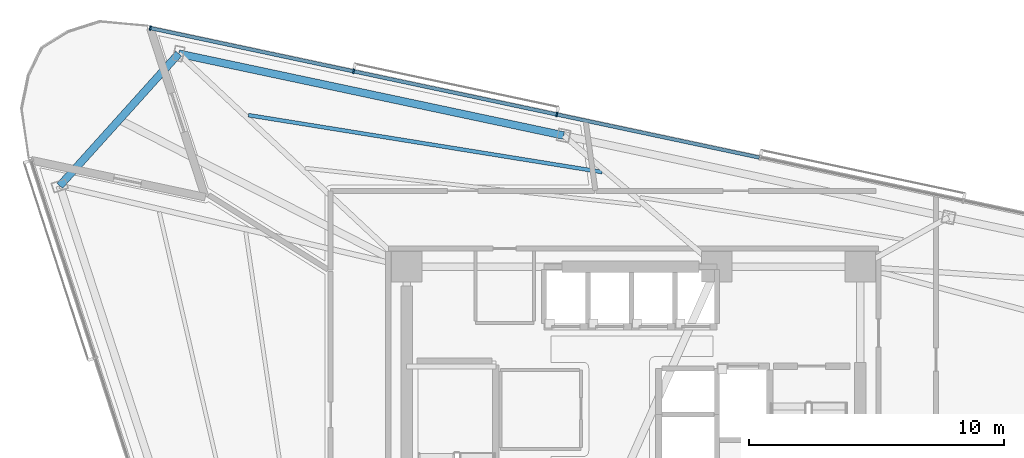
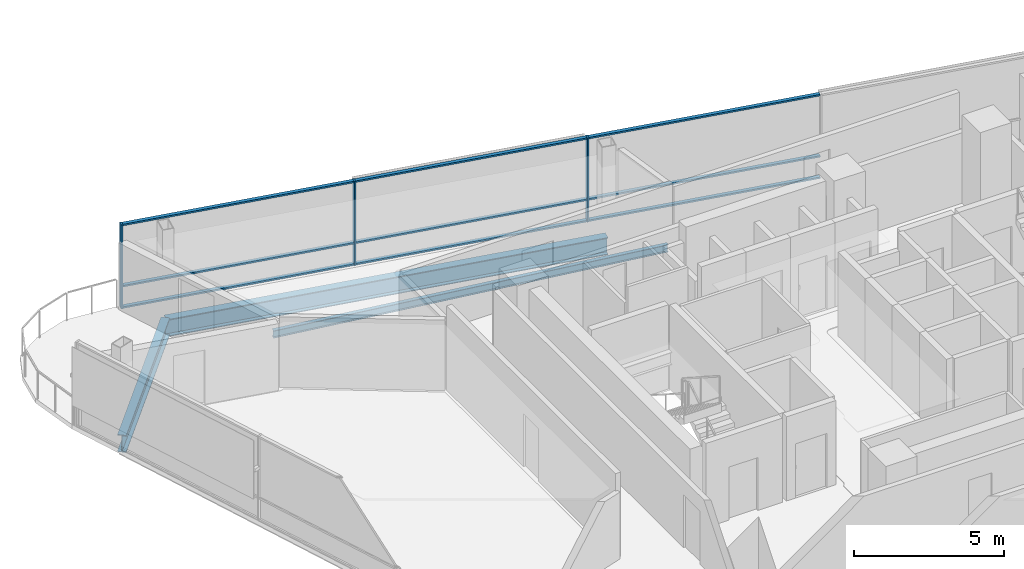
# One storey, part 7 of 17: 12 members, 3 beams, 1 element without a shape of its own.
"""IFC4 building model written with IfcOpenShell, lengths in metres."""

from ifc_helpers import new_model, si_unit, direction, frame, origin, origin_2d, place, context, subcontext, project, spatial, rectangle, i_section, extrude, material, layer, layer_set, material_profile, profile_set, type_object, element, aggregate, save


model = new_model("IFC4")

# Units and contexts
model_context = context("Model", 3, precision=1e-05, world=origin(), true_north=direction((0.0, 1.0)))
body_context = subcontext(model_context, "Body", "Model", "MODEL_VIEW")
ifc_project = project(units=[si_unit("LENGTHUNIT", "METRE"), si_unit("AREAUNIT", "SQUARE_METRE"), si_unit("VOLUMEUNIT", "CUBIC_METRE"), si_unit("PLANEANGLEUNIT", "RADIAN"), si_unit("MASSUNIT", "GRAM", prefix="KILO")], contexts=[model_context])

# Site, building, storey
site_placement = place(None, origin())
site = spatial("IfcSite", under=ifc_project, at=site_placement, CompositionType="ELEMENT")
building_placement = place(site_placement, origin())
building = spatial("IfcBuilding", under=site, at=building_placement, Name="Tharavind Bronze Gate", CompositionType="ELEMENT")
storey_placement = place(building_placement, frame((0.0, 0.0, 200.449951171875)))
storey = spatial("IfcBuildingStorey", under=building, at=storey_placement, Name="L51", CompositionType="ELEMENT", Elevation=200.449951171875)

# Curtain wall, members
ifc_material_1 = material(Name="Anodised Bronze Aluminium", Category="aluminium")
ifc_layer = layer(ifc_material_1, 0.219970703125)
ifc_layer_set = layer_set([ifc_layer], Name="Anodised Bronze Aluminium")
curtain_wall_type = type_object("IfcCurtainWallType", Name="UNITISED CURTAIN WALL MID OFFICE", PredefinedType="USERDEFINED", material=ifc_layer_set)
curtain_wall_placement = place(storey_placement, origin())
curtain_wall = element("IfcCurtainWall", 1, at=curtain_wall_placement, inside=storey, type_object=curtain_wall_type, Name="L51 unitised curtain wall mid office CW-L51-S3", ObjectType="UNITISED CURTAIN WALL", PredefinedType="USERDEFINED")
member_type_1 = type_object("IfcMemberType", Name="CURTAIN WALL BRONZE MULLION 65X180", PredefinedType="MULLION", material=ifc_material_1)
member_1_placement = place(storey_placement, frame((-3.004638671875, 13.576416015625, 0.0), z_axis=(0.0, 0.0, 1.0), x_axis=(-0.978147600734, 0.207911690818, 0.0)))
member_1 = element("IfcMember", 2, at=member_1_placement, type_object=member_type_1, Name="CW-L51-S3 mullion 5", PredefinedType="MULLION", context=body_context, shape_type="SweptSolid", body=[
    extrude(rectangle(XDim=0.06494140625, YDim=0.179931640625, at=origin_2d()), origin(), (0.0, 0.0, 1.0), 3.419921875),
])
member_2_placement = place(storey_placement, frame((-10.982177734375, 15.27197265625, 0.0), z_axis=(0.0, 0.0, 1.0), x_axis=(-0.978147600734, 0.207911690818, 0.0)))
member_2 = element("IfcMember", 3, at=member_2_placement, type_object=member_type_1, Name="CW-L51-S3 mullion 6", PredefinedType="MULLION", context=body_context, shape_type="SweptSolid", body=[
    extrude(rectangle(XDim=0.06494140625, YDim=0.179931640625, at=origin_2d()), origin(), (0.0, 0.0, 1.0), 3.419921875),
])
member_3_placement = place(storey_placement, frame((-18.959716796875, 16.967529296875, 0.0), z_axis=(0.0, 0.0, 1.0), x_axis=(-0.978147600734, 0.207911690818, 0.0)))
member_3 = element("IfcMember", 4, at=member_3_placement, type_object=member_type_1, Name="CW-L51-S3 mullion 7", PredefinedType="MULLION", context=body_context, shape_type="SweptSolid", body=[
    extrude(rectangle(XDim=0.06494140625, YDim=0.179931640625, at=origin_2d()), origin(), (0.0, 0.0, 1.0), 3.419921875),
])
member_type_2 = type_object("IfcMemberType", Name="CURTAIN WALL BRONZE TRANSOM 65X140", PredefinedType="USERDEFINED", material=ifc_material_1)
member_4_placement = place(storey_placement, frame((0.98388671875, 12.728515625, 0.0), z_axis=(0.0, 0.0, 1.0), x_axis=(-0.978147600734, 0.207911690818, 0.0)))
member_4 = element("IfcMember", 5, at=member_4_placement, type_object=member_type_2, Name="CW-L51-S3 transom TB4", ObjectType="TRANSOM", PredefinedType="USERDEFINED", context=body_context, shape_type="SweptSolid", body=[
    extrude(rectangle(XDim=8.102783203125, YDim=0.139892578125, at=origin_2d()), origin(), (0.0, 0.0, 1.0), 0.06494140625),
])
member_5_placement = place(storey_placement, frame((0.98388671875, 12.728515625, 0.86767578125), z_axis=(0.0, 0.0, 1.0), x_axis=(-0.978147600734, 0.207911690818, 0.0)))
member_5 = element("IfcMember", 6, at=member_5_placement, type_object=member_type_2, Name="CW-L51-S3 transom TS4", ObjectType="TRANSOM", PredefinedType="USERDEFINED", context=body_context, shape_type="SweptSolid", body=[
    extrude(rectangle(XDim=8.102783203125, YDim=0.139892578125, at=origin_2d()), origin(), (0.0, 0.0, 1.0), 0.06494140625),
])
member_6_placement = place(storey_placement, frame((0.98388671875, 12.728515625, 3.35498046875), z_axis=(0.0, 0.0, 1.0), x_axis=(-0.978147600734, 0.207911690818, 0.0)))
member_6 = element("IfcMember", 7, at=member_6_placement, type_object=member_type_2, Name="CW-L51-S3 transom TT4", ObjectType="TRANSOM", PredefinedType="USERDEFINED", context=body_context, shape_type="SweptSolid", body=[
    extrude(rectangle(XDim=8.102783203125, YDim=0.139892578125, at=origin_2d()), origin(), (0.0, 0.0, 1.0), 0.06494140625),
])
member_7_placement = place(storey_placement, frame((-6.993408203125, 14.424072265625, 0.0), z_axis=(0.0, 0.0, 1.0), x_axis=(-0.978147600734, 0.207911690818, 0.0)))
member_7 = element("IfcMember", 8, at=member_7_placement, type_object=member_type_2, Name="CW-L51-S3 transom TB5", ObjectType="TRANSOM", PredefinedType="USERDEFINED", context=body_context, shape_type="SweptSolid", body=[
    extrude(rectangle(XDim=8.102783203125, YDim=0.139892578125, at=origin_2d()), origin(), (0.0, 0.0, 1.0), 0.06494140625),
])
member_8_placement = place(storey_placement, frame((-6.993408203125, 14.424072265625, 0.86767578125), z_axis=(0.0, 0.0, 1.0), x_axis=(-0.978147600734, 0.207911690818, 0.0)))
member_8 = element("IfcMember", 9, at=member_8_placement, type_object=member_type_2, Name="CW-L51-S3 transom TS5", ObjectType="TRANSOM", PredefinedType="USERDEFINED", context=body_context, shape_type="SweptSolid", body=[
    extrude(rectangle(XDim=8.102783203125, YDim=0.139892578125, at=origin_2d()), origin(), (0.0, 0.0, 1.0), 0.06494140625),
])
member_9_placement = place(storey_placement, frame((-6.993408203125, 14.424072265625, 3.35498046875), z_axis=(0.0, 0.0, 1.0), x_axis=(-0.978147600734, 0.207911690818, 0.0)))
member_9 = element("IfcMember", 10, at=member_9_placement, type_object=member_type_2, Name="CW-L51-S3 transom TT5", ObjectType="TRANSOM", PredefinedType="USERDEFINED", context=body_context, shape_type="SweptSolid", body=[
    extrude(rectangle(XDim=8.102783203125, YDim=0.139892578125, at=origin_2d()), origin(), (0.0, 0.0, 1.0), 0.06494140625),
])
member_10_placement = place(storey_placement, frame((-14.970947265625, 16.119873046875, 0.0), z_axis=(0.0, 0.0, 1.0), x_axis=(-0.978147600734, 0.207911690818, 0.0)))
member_10 = element("IfcMember", 11, at=member_10_placement, type_object=member_type_2, Name="CW-L51-S3 transom TB6", ObjectType="TRANSOM", PredefinedType="USERDEFINED", context=body_context, shape_type="SweptSolid", body=[
    extrude(rectangle(XDim=8.102783203125, YDim=0.139892578125, at=origin_2d()), origin(), (0.0, 0.0, 1.0), 0.06494140625),
])
member_11_placement = place(storey_placement, frame((-14.970947265625, 16.119873046875, 0.86767578125), z_axis=(0.0, 0.0, 1.0), x_axis=(-0.978147600734, 0.207911690818, 0.0)))
member_11 = element("IfcMember", 12, at=member_11_placement, type_object=member_type_2, Name="CW-L51-S3 transom TS6", ObjectType="TRANSOM", PredefinedType="USERDEFINED", context=body_context, shape_type="SweptSolid", body=[
    extrude(rectangle(XDim=8.102783203125, YDim=0.139892578125, at=origin_2d()), origin(), (0.0, 0.0, 1.0), 0.06494140625),
])
member_12_placement = place(storey_placement, frame((-14.970947265625, 16.119873046875, 3.35498046875), z_axis=(0.0, 0.0, 1.0), x_axis=(-0.978147600734, 0.207911690818, 0.0)))
member_12 = element("IfcMember", 13, at=member_12_placement, type_object=member_type_2, Name="CW-L51-S3 transom TT6", ObjectType="TRANSOM", PredefinedType="USERDEFINED", context=body_context, shape_type="SweptSolid", body=[
    extrude(rectangle(XDim=8.102783203125, YDim=0.139892578125, at=origin_2d()), origin(), (0.0, 0.0, 1.0), 0.06494140625),
])
aggregate(curtain_wall, [member_1, member_2, member_3, member_4, member_5, member_6, member_7, member_8, member_9, member_10, member_11, member_12])

# Beams
ifc_material_2 = material(Name="Steel S355", Category="steel")
ifc_material_profile_1 = material_profile(ifc_material_2, i_section(OverallWidth=0.300048828125, OverallDepth=0.699951171875, WebThickness=0.01708984375, FlangeThickness=0.031982421875, at=origin_2d()), Name="HE700B")
ifc_profile_set_1 = profile_set([ifc_material_profile_1], Name="Steel S355")
beam_type_1 = type_object("IfcBeamType", Name="RING GIRDER HE700B", PredefinedType="USERDEFINED", material=ifc_profile_set_1)
beam_1_placement = place(storey_placement, frame((-2.737060546875, 12.752685546875, -0.530029296875), z_axis=(-0.978148967388, 0.207905261111, 0.0), x_axis=(-0.207905261111, -0.978148967388, 0.0)))
element("IfcBeam", 14, at=beam_1_placement, inside=storey, type_object=beam_type_1, Name="L51 ring girder he700b BM-L51-PRG11", ObjectType="GIRDER", PredefinedType="USERDEFINED", context=body_context, shape_type="SweptSolid", body=[
    extrude(i_section(OverallWidth=0.300048828125, OverallDepth=0.699951171875, WebThickness=0.01708984375, FlangeThickness=0.031982421875, at=origin_2d()), origin(), (0.0, 0.0, 1.0), 15.4453125),
])
beam_2_placement = place(storey_placement, frame((-17.844970703125, 15.9638671875, -0.530029296875), z_axis=(-0.669130909152, -0.743144552841, 0.0), x_axis=(0.743144552841, -0.669130909152, 0.0)))
element("IfcBeam", 15, at=beam_2_placement, inside=storey, type_object=beam_type_1, Name="L51 ring girder he700b BM-L51-PRG12", ObjectType="GIRDER", PredefinedType="USERDEFINED", context=body_context, shape_type="SweptSolid", body=[
    extrude(i_section(OverallWidth=0.300048828125, OverallDepth=0.699951171875, WebThickness=0.01708984375, FlangeThickness=0.031982421875, at=origin_2d()), origin(), (0.0, 0.0, 1.0), 6.979736328125),
])
ifc_material_profile_2 = material_profile(ifc_material_2, i_section(OverallWidth=0.14990234375, OverallDepth=0.300048828125, WebThickness=0.007080078125, FlangeThickness=0.0107421875, at=origin_2d()), Name="IPE300")
ifc_profile_set_2 = profile_set([ifc_material_profile_2], Name="Steel S355")
beam_type_2 = type_object("IfcBeamType", Name="SECONDARY FLOOR JOIST IPE300", PredefinedType="JOIST", material=ifc_profile_set_2)
beam_3_placement = place(storey_placement, frame((-1.224853515625, 11.316650390625, -0.329833984375), z_axis=(-0.987305145712, 0.158834974899, 0.0), x_axis=(-0.158834974899, -0.987305145712, 0.0)))
element("IfcBeam", 16, at=beam_3_placement, inside=storey, type_object=beam_type_2, Name="L51 secondary floor joist ipe300 BM-L51-JSTB11", PredefinedType="JOIST", context=body_context, shape_type="SweptSolid", body=[
    extrude(i_section(OverallWidth=0.14990234375, OverallDepth=0.300048828125, WebThickness=0.007080078125, FlangeThickness=0.0107421875, at=origin_2d()), origin(), (0.0, 0.0, 1.0), 14.0595703125),
])

save(model, "model.ifc")
